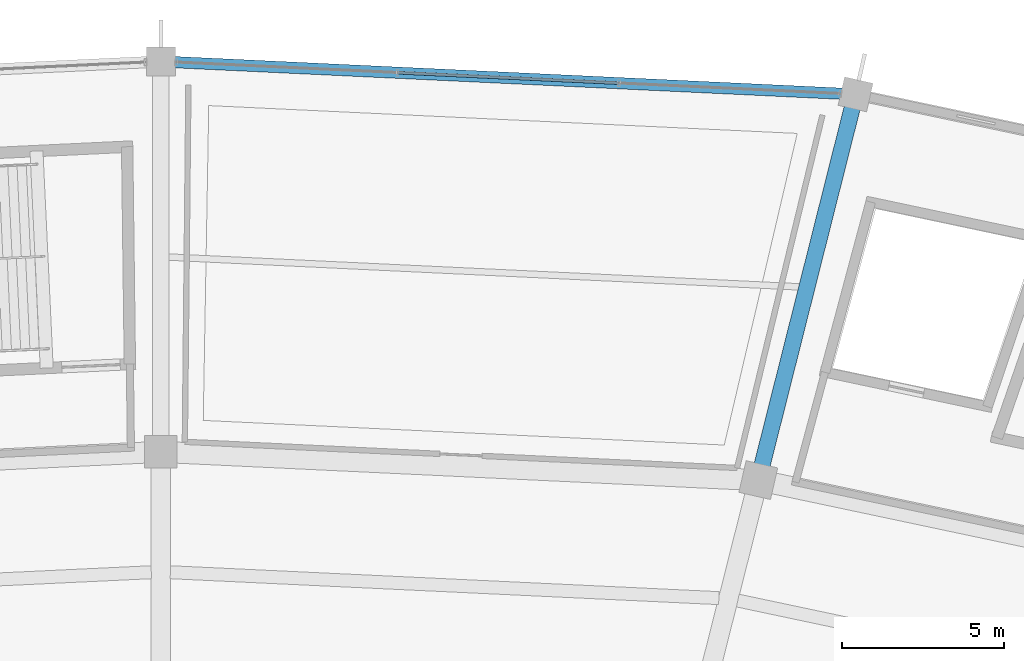
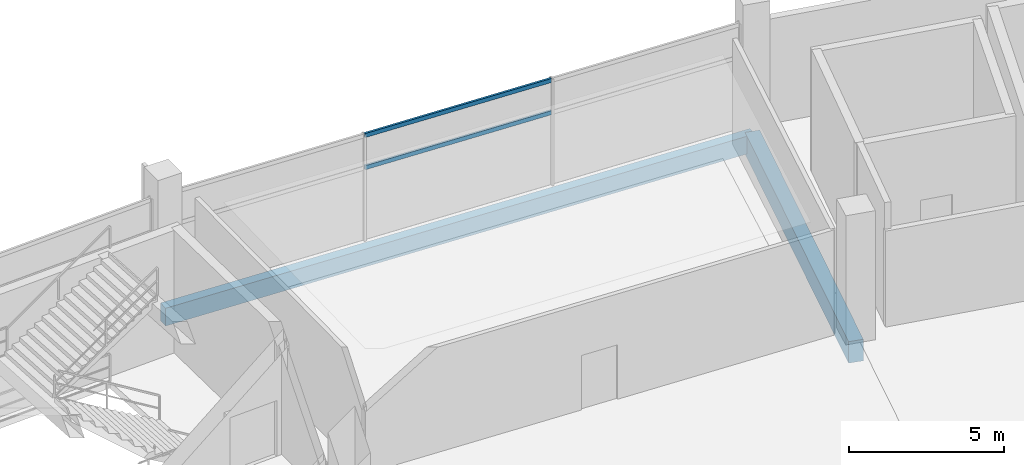
# One storey, part 123 of 184: 2 beams, 2 members, 1 element without a shape of its own.
"""IFC4 building model written with IfcOpenShell, lengths in metres."""

from ifc_helpers import new_model, si_unit, direction, frame, origin, origin_2d, place, context, subcontext, project, spatial, rectangle, hollow_rectangle, extrude, material, layer, layer_set, material_profile, profile_set, type_object, element, aggregate, save


model = new_model("IFC4")

# Units and contexts
model_context = context("Model", 3, precision=1e-05, world=origin(), true_north=direction((0.0, 1.0)))
body_context = subcontext(model_context, "Body", "Model", "MODEL_VIEW")
ifc_project = project(units=[si_unit("LENGTHUNIT", "METRE"), si_unit("AREAUNIT", "SQUARE_METRE"), si_unit("VOLUMEUNIT", "CUBIC_METRE"), si_unit("PLANEANGLEUNIT", "RADIAN"), si_unit("MASSUNIT", "GRAM", prefix="KILO")], contexts=[model_context])

# Site, building, storey
site_placement = place(None, origin())
site = spatial("IfcSite", under=ifc_project, at=site_placement, CompositionType="ELEMENT")
building_placement = place(site_placement, origin())
building = spatial("IfcBuilding", under=site, at=building_placement, Name="Kazemori Nagisa Stadium", CompositionType="ELEMENT")
storey_placement = place(building_placement, frame((0.0, 0.0, 10.5400390625)))
storey = spatial("IfcBuildingStorey", under=building, at=storey_placement, Name="L02", CompositionType="ELEMENT", Elevation=10.5400390625)

# Beams
ifc_material_1 = material(Name="Concrete C40/50 (Fc42)", Category="concrete")
ifc_material_profile_1 = material_profile(ifc_material_1, rectangle(XDim=0.5, YDim=0.85009765625, at=origin_2d()), Name="RC-BM-500x850")
ifc_profile_set_1 = profile_set([ifc_material_profile_1], Name="Concrete C40/50 (Fc42)")
beam_type_1 = type_object("IfcBeamType", Name="Beam_BG-RC500X850", PredefinedType="BEAM", material=ifc_profile_set_1)
beam_1_placement = place(storey_placement, frame((141.427734375, 175.088623046875, -0.68505859375), z_axis=(0.244487324834, 0.969652488263, 0.0), x_axis=(-0.969652488263, 0.244487324834, 0.0)))
element("IfcBeam", 1, at=beam_1_placement, inside=storey, type_object=beam_type_1, Name="Radial girder BG-RC500X850 L02 R2-R3-07", PredefinedType="BEAM", context=body_context, shape_type="SweptSolid", body=[
    extrude(rectangle(XDim=0.5, YDim=0.85009765625, at=origin_2d()), origin(), (0.0, 0.0, 1.0), 12.2705078125),
])
ifc_material_profile_2 = material_profile(ifc_material_1, rectangle(XDim=0.35009765625, YDim=0.699951171875, at=origin_2d()), Name="RC-SP-350x700")
ifc_profile_set_2 = profile_set([ifc_material_profile_2], Name="Concrete C40/50 (Fc42)")
beam_type_2 = type_object("IfcBeamType", Name="Beam_BS-RC350X700", PredefinedType="SPANDREL", material=ifc_profile_set_2)
beam_2_placement = place(storey_placement, frame((144.427734375, 186.98681640625, -0.610107421875), z_axis=(-0.998883994571, 0.047230979144, 0.0), x_axis=(-0.047230979144, -0.998883994571, 0.0)))
element("IfcBeam", 2, at=beam_2_placement, inside=storey, type_object=beam_type_2, Name="Ring girder BS-RC350X700 L02 R3-07", PredefinedType="SPANDREL", context=body_context, shape_type="SweptSolid", body=[
    extrude(rectangle(XDim=0.35009765625, YDim=0.699951171875, at=origin_2d()), origin(), (0.0, 0.0, 1.0), 21.45166015625),
])

# Curtain wall, members
ifc_material_2 = material(Name="Anodised aluminium 6063-T5", Category="aluminium")
ifc_layer = layer(ifc_material_2, 0.2099609375, Name="Anodised aluminium 6063-T5", Category="aluminium")
ifc_layer_set = layer_set([ifc_layer], Name="Anodised aluminium 6063-T5")
curtain_wall_type = type_object("IfcCurtainWallType", Name="CW_L02R3_103", PredefinedType="USERDEFINED", material=ifc_layer_set)
curtain_wall_placement = place(storey_placement, origin())
curtain_wall = element("IfcCurtainWall", 3, at=curtain_wall_placement, inside=storey, type_object=curtain_wall_type, Name="Unitised curtain wall CW-L02R3-103 L02", ObjectType="UNITISED CURTAIN WALL", PredefinedType="USERDEFINED")
ifc_material_3 = material(Name="Aluminium 6063-T5 anodised", Category="aluminium")
ifc_material_profile_3 = material_profile(ifc_material_3, hollow_rectangle(XDim=0.080078125, YDim=0.159912109375, WallThickness=0.00390625, at=origin_2d()), Name="ALU-TRAN-80x160x4")
ifc_profile_set_3 = profile_set([ifc_material_profile_3], Name="Aluminium 6063-T5 anodised")
member_type = type_object("IfcMemberType", Name="Transom_T02", PredefinedType="USERDEFINED", material=ifc_profile_set_3)
member_1_placement = place(storey_placement, frame((137.10693359375, 187.3330078125, 2.84912109375), z_axis=(-0.998884501545, 0.047220255973, 0.0), x_axis=(-0.047220255973, -0.998884501545, 0.0)))
member_1 = element("IfcMember", 4, at=member_1_placement, type_object=member_type, Name="Curtain wall transom CW-L02R3-103-T2-mid", ObjectType="TRANSOM", PredefinedType="USERDEFINED", context=body_context, shape_type="SweptSolid", body=[
    extrude(hollow_rectangle(XDim=0.080078125, YDim=0.159912109375, WallThickness=0.00390625, at=origin_2d()), origin(), (0.0, 0.0, 1.0), 6.793701171875),
])
member_2_placement = place(storey_placement, frame((137.10693359375, 187.3330078125, 4.119873046875), z_axis=(-0.998884501545, 0.047220255973, 0.0), x_axis=(-0.047220255973, -0.998884501545, 0.0)))
member_2 = element("IfcMember", 5, at=member_2_placement, type_object=member_type, Name="Curtain wall transom CW-L02R3-103-T2-head", ObjectType="TRANSOM", PredefinedType="USERDEFINED", context=body_context, shape_type="SweptSolid", body=[
    extrude(hollow_rectangle(XDim=0.080078125, YDim=0.159912109375, WallThickness=0.00390625, at=origin_2d()), origin(), (0.0, 0.0, 1.0), 6.793701171875),
])
aggregate(curtain_wall, [member_1, member_2])

save(model, "model.ifc")
